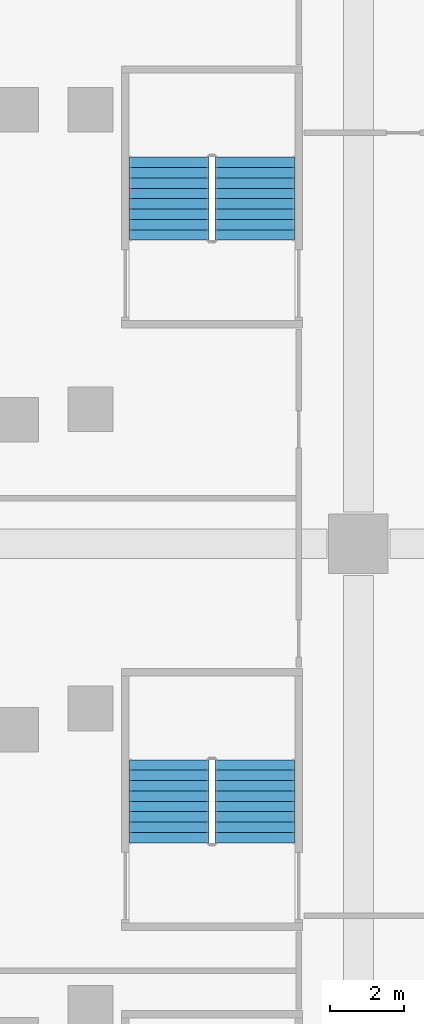
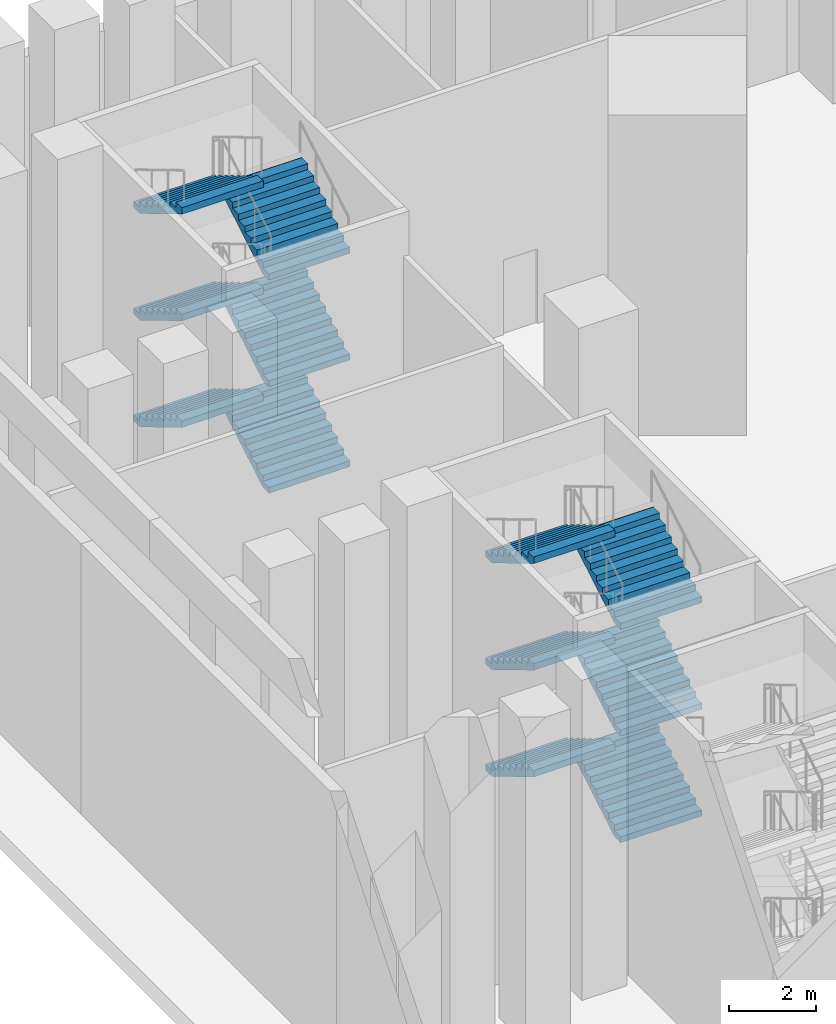
# One storey, part 13 of 25: 12 stair flights, 2 elements without a shape of their own.
"""IFC4 building model written with IfcOpenShell, lengths in metres."""

from ifc_helpers import new_model, si_unit, direction, frame, origin, place, context, subcontext, project, spatial, faceted_brep, source, transform, mapped, material, type_object, element, aggregate, save


model = new_model("IFC4")

# Units and contexts
model_context = context("Model", 3, precision=1e-05, world=origin(), true_north=direction((0.0, 1.0)))
body_context = subcontext(model_context, "Body", "Model", "MODEL_VIEW")
ifc_project = project(units=[si_unit("LENGTHUNIT", "METRE"), si_unit("AREAUNIT", "SQUARE_METRE"), si_unit("VOLUMEUNIT", "CUBIC_METRE"), si_unit("PLANEANGLEUNIT", "RADIAN"), si_unit("MASSUNIT", "GRAM", prefix="KILO")], contexts=[model_context])

# Site, building, storey
site_placement = place(None, origin())
site = spatial("IfcSite", under=ifc_project, at=site_placement, CompositionType="ELEMENT")
building_placement = place(site_placement, origin())
building = spatial("IfcBuilding", under=site, at=building_placement, Name="Calabash Gate Tower", CompositionType="ELEMENT")
storey_placement = place(building_placement, frame((0.0, 0.0, 20.0)))
storey = spatial("IfcBuildingStorey", under=building, at=storey_placement, Name="L02", CompositionType="ELEMENT", Elevation=20.0)

# Stair, stair flights
ifc_material_1 = material(Name="Concrete C40/50", Category="concrete")
stair_type = type_object("IfcStairType", Name="Public stair 54 risers of 166.7 mm", PredefinedType="HALF_TURN_STAIR", material=ifc_material_1)
stair_1_placement = place(storey_placement, origin())
stair_1 = element("IfcStair", 1, at=stair_1_placement, inside=storey, type_object=stair_type, Name="L02 Public Stair PS4", PredefinedType="HALF_TURN_STAIR")
ifc_material_2 = material(Name="Concrete C40/50", Category="concrete")
stair_flight_type = type_object("IfcStairFlightType", Name="Exit stair flight SFL", PredefinedType="STRAIGHT", material=ifc_material_2)
shared_shape = source(origin(), body_context, "Body", "Brep", [
    faceted_brep([(-0.0009765625, -1.080078125, 0.0), (0.292236328125, -1.080078125, 0.0), (2.23291015625, -1.080078125, 1.15869140625), (-0.0009765625, 1.080078125, 0.0), (2.23291015625, 1.080078125, 1.15869140625), (0.292236328125, 1.080078125, 0.0), (2.23291015625, -1.080078125, 1.34521484375), (2.23193359375, -1.080078125, 1.34521484375), (2.23193359375, 1.080078125, 1.34521484375), (2.23291015625, 1.080078125, 1.34521484375), (2.23193359375, -1.080078125, 1.333251953125), (2.23193359375, 1.080078125, 1.333251953125), (1.952880859375, -1.080078125, 1.333251953125), (1.952880859375, 1.080078125, 1.333251953125), (1.952880859375, -1.080078125, 1.166748046875), (1.952880859375, 1.080078125, 1.166748046875), (1.674072265625, -1.080078125, 1.166748046875), (1.674072265625, 1.080078125, 1.166748046875), (1.674072265625, -1.080078125, 1.0), (1.674072265625, 1.080078125, 1.0), (1.39501953125, -1.080078125, 1.0), (1.39501953125, -1.080078125, 0.833251953125), (1.39501953125, 1.080078125, 0.833251953125), (1.39501953125, 1.080078125, 1.0), (1.115966796875, -1.080078125, 0.833251953125), (1.115966796875, -1.080078125, 0.666748046875), (1.115966796875, 1.080078125, 0.666748046875), (1.115966796875, 1.080078125, 0.833251953125), (0.8369140625, -1.080078125, 0.666748046875), (0.8369140625, -1.080078125, 0.5), (0.8369140625, 1.080078125, 0.5), (0.8369140625, 1.080078125, 0.666748046875), (0.55810546875, -1.080078125, 0.5), (0.55810546875, -1.080078125, 0.333251953125), (0.55810546875, 1.080078125, 0.333251953125), (0.55810546875, 1.080078125, 0.5), (0.279052734375, -1.080078125, 0.333251953125), (0.279052734375, -1.080078125, 0.166748046875), (0.279052734375, 1.080078125, 0.166748046875), (0.279052734375, 1.080078125, 0.333251953125), (-0.0009765625, -1.080078125, 0.166748046875), (-0.0009765625, 1.080078125, 0.166748046875), (0.292236328125, -0.431884765625, 0.0), (2.23291015625, -0.431884765625, 1.15869140625), (0.292236328125, -0.345703125, 0.0), (2.23291015625, -0.345703125, 1.15869140625), (0.292236328125, -0.25927734375, 0.0), (2.23291015625, -0.25927734375, 1.15869140625), (0.292236328125, -0.1728515625, 0.0), (2.23291015625, -0.1728515625, 1.15869140625), (0.292236328125, -0.08642578125, 0.0), (2.23291015625, -0.08642578125, 1.15869140625), (0.292236328125, 0.0, 0.0), (2.23291015625, 0.0, 1.15869140625), (0.292236328125, 0.08642578125, 0.0), (2.23291015625, 0.08642578125, 1.15869140625), (0.292236328125, 0.1728515625, 0.0), (2.23291015625, 0.1728515625, 1.15869140625), (0.292236328125, 0.25927734375, 0.0), (2.23291015625, 0.25927734375, 1.15869140625), (0.292236328125, 0.345703125, 0.0), (2.23291015625, 0.345703125, 1.15869140625), (0.292236328125, 0.431884765625, 0.0), (2.23291015625, 0.431884765625, 1.15869140625), (2.23291015625, -0.431884765625, 1.34521484375), (2.23291015625, -0.345703125, 1.34521484375), (2.23291015625, -0.25927734375, 1.34521484375), (2.23291015625, -0.1728515625, 1.34521484375), (2.23291015625, -0.08642578125, 1.34521484375), (2.23291015625, 0.0, 1.34521484375), (2.23291015625, 0.08642578125, 1.34521484375), (2.23291015625, 0.1728515625, 1.34521484375), (2.23291015625, 0.25927734375, 1.34521484375), (2.23291015625, 0.345703125, 1.34521484375), (2.23291015625, 0.431884765625, 1.34521484375), (2.23193359375, -0.431884765625, 1.34521484375), (2.23193359375, -0.345703125, 1.34521484375), (2.23193359375, -0.25927734375, 1.34521484375), (2.23193359375, -0.1728515625, 1.34521484375), (2.23193359375, -0.08642578125, 1.34521484375), (2.23193359375, 0.0, 1.34521484375), (2.23193359375, 0.08642578125, 1.34521484375), (2.23193359375, 0.1728515625, 1.34521484375), (2.23193359375, 0.25927734375, 1.34521484375), (2.23193359375, 0.345703125, 1.34521484375), (2.23193359375, 0.431884765625, 1.34521484375), (2.23193359375, -0.431884765625, 1.333251953125), (2.23193359375, -0.345703125, 1.333251953125), (2.23193359375, -0.25927734375, 1.333251953125), (2.23193359375, -0.1728515625, 1.333251953125), (2.23193359375, -0.08642578125, 1.333251953125), (2.23193359375, 0.0, 1.333251953125), (2.23193359375, 0.08642578125, 1.333251953125), (2.23193359375, 0.1728515625, 1.333251953125), (2.23193359375, 0.25927734375, 1.333251953125), (2.23193359375, 0.345703125, 1.333251953125), (2.23193359375, 0.431884765625, 1.333251953125), (1.952880859375, -0.431884765625, 1.333251953125), (1.952880859375, -0.345703125, 1.333251953125), (1.952880859375, -0.25927734375, 1.333251953125), (1.952880859375, -0.1728515625, 1.333251953125), (1.952880859375, -0.08642578125, 1.333251953125), (1.952880859375, 0.0, 1.333251953125), (1.952880859375, 0.08642578125, 1.333251953125), (1.952880859375, 0.1728515625, 1.333251953125), (1.952880859375, 0.25927734375, 1.333251953125), (1.952880859375, 0.345703125, 1.333251953125), (1.952880859375, 0.431884765625, 1.333251953125), (1.952880859375, -0.431884765625, 1.166748046875), (1.952880859375, -0.345703125, 1.166748046875), (1.952880859375, -0.25927734375, 1.166748046875), (1.952880859375, -0.1728515625, 1.166748046875), (1.952880859375, -0.08642578125, 1.166748046875), (1.952880859375, 0.0, 1.166748046875), (1.952880859375, 0.08642578125, 1.166748046875), (1.952880859375, 0.1728515625, 1.166748046875), (1.952880859375, 0.25927734375, 1.166748046875), (1.952880859375, 0.345703125, 1.166748046875), (1.952880859375, 0.431884765625, 1.166748046875), (1.674072265625, -0.431884765625, 1.166748046875), (1.674072265625, -0.345703125, 1.166748046875), (1.674072265625, -0.25927734375, 1.166748046875), (1.674072265625, -0.1728515625, 1.166748046875), (1.674072265625, -0.08642578125, 1.166748046875), (1.674072265625, 0.0, 1.166748046875), (1.674072265625, 0.08642578125, 1.166748046875), (1.674072265625, 0.1728515625, 1.166748046875), (1.674072265625, 0.25927734375, 1.166748046875), (1.674072265625, 0.345703125, 1.166748046875), (1.674072265625, 0.431884765625, 1.166748046875), (1.674072265625, -0.431884765625, 1.0), (1.674072265625, -0.345703125, 1.0), (1.674072265625, -0.25927734375, 1.0), (1.674072265625, -0.1728515625, 1.0), (1.674072265625, -0.08642578125, 1.0), (1.674072265625, 0.0, 1.0), (1.674072265625, 0.08642578125, 1.0), (1.674072265625, 0.1728515625, 1.0), (1.674072265625, 0.25927734375, 1.0), (1.674072265625, 0.345703125, 1.0), (1.674072265625, 0.431884765625, 1.0), (1.39501953125, -0.431884765625, 1.0), (1.39501953125, -0.345703125, 1.0), (1.39501953125, -0.25927734375, 1.0), (1.39501953125, -0.1728515625, 1.0), (1.39501953125, -0.08642578125, 1.0), (1.39501953125, 0.0, 1.0), (1.39501953125, 0.08642578125, 1.0), (1.39501953125, 0.1728515625, 1.0), (1.39501953125, 0.25927734375, 1.0), (1.39501953125, 0.345703125, 1.0), (1.39501953125, 0.431884765625, 1.0), (1.39501953125, -0.431884765625, 0.833251953125), (1.39501953125, -0.345703125, 0.833251953125), (1.39501953125, -0.25927734375, 0.833251953125), (1.39501953125, -0.1728515625, 0.833251953125), (1.39501953125, -0.08642578125, 0.833251953125), (1.39501953125, 0.0, 0.833251953125), (1.39501953125, 0.08642578125, 0.833251953125), (1.39501953125, 0.1728515625, 0.833251953125), (1.39501953125, 0.25927734375, 0.833251953125), (1.39501953125, 0.345703125, 0.833251953125), (1.39501953125, 0.431884765625, 0.833251953125), (1.115966796875, -0.431884765625, 0.833251953125), (1.115966796875, -0.345703125, 0.833251953125), (1.115966796875, -0.25927734375, 0.833251953125), (1.115966796875, -0.1728515625, 0.833251953125), (1.115966796875, -0.08642578125, 0.833251953125), (1.115966796875, 0.0, 0.833251953125), (1.115966796875, 0.08642578125, 0.833251953125), (1.115966796875, 0.1728515625, 0.833251953125), (1.115966796875, 0.25927734375, 0.833251953125), (1.115966796875, 0.345703125, 0.833251953125), (1.115966796875, 0.431884765625, 0.833251953125), (1.115966796875, -0.431884765625, 0.666748046875), (1.115966796875, -0.345703125, 0.666748046875), (1.115966796875, -0.25927734375, 0.666748046875), (1.115966796875, -0.1728515625, 0.666748046875), (1.115966796875, -0.08642578125, 0.666748046875), (1.115966796875, 0.0, 0.666748046875), (1.115966796875, 0.08642578125, 0.666748046875), (1.115966796875, 0.1728515625, 0.666748046875), (1.115966796875, 0.25927734375, 0.666748046875), (1.115966796875, 0.345703125, 0.666748046875), (1.115966796875, 0.431884765625, 0.666748046875), (0.8369140625, -0.431884765625, 0.666748046875), (0.8369140625, -0.345703125, 0.666748046875), (0.8369140625, -0.25927734375, 0.666748046875), (0.8369140625, -0.1728515625, 0.666748046875), (0.8369140625, -0.08642578125, 0.666748046875), (0.8369140625, 0.0, 0.666748046875), (0.8369140625, 0.08642578125, 0.666748046875), (0.8369140625, 0.1728515625, 0.666748046875), (0.8369140625, 0.25927734375, 0.666748046875), (0.8369140625, 0.345703125, 0.666748046875), (0.8369140625, 0.431884765625, 0.666748046875), (0.8369140625, -0.431884765625, 0.5), (0.8369140625, -0.345703125, 0.5), (0.8369140625, -0.25927734375, 0.5), (0.8369140625, -0.1728515625, 0.5), (0.8369140625, -0.08642578125, 0.5), (0.8369140625, 0.0, 0.5), (0.8369140625, 0.08642578125, 0.5), (0.8369140625, 0.1728515625, 0.5), (0.8369140625, 0.25927734375, 0.5), (0.8369140625, 0.345703125, 0.5), (0.8369140625, 0.431884765625, 0.5), (0.55810546875, -0.431884765625, 0.5), (0.55810546875, -0.345703125, 0.5), (0.55810546875, -0.25927734375, 0.5), (0.55810546875, -0.1728515625, 0.5), (0.55810546875, -0.08642578125, 0.5), (0.55810546875, 0.0, 0.5), (0.55810546875, 0.08642578125, 0.5), (0.55810546875, 0.1728515625, 0.5), (0.55810546875, 0.25927734375, 0.5), (0.55810546875, 0.345703125, 0.5), (0.55810546875, 0.431884765625, 0.5), (0.55810546875, -0.431884765625, 0.333251953125), (0.55810546875, -0.345703125, 0.333251953125), (0.55810546875, -0.25927734375, 0.333251953125), (0.55810546875, -0.1728515625, 0.333251953125), (0.55810546875, -0.08642578125, 0.333251953125), (0.55810546875, 0.0, 0.333251953125), (0.55810546875, 0.08642578125, 0.333251953125), (0.55810546875, 0.1728515625, 0.333251953125), (0.55810546875, 0.25927734375, 0.333251953125), (0.55810546875, 0.345703125, 0.333251953125), (0.55810546875, 0.431884765625, 0.333251953125), (0.279052734375, -0.431884765625, 0.333251953125), (0.279052734375, -0.345703125, 0.333251953125), (0.279052734375, -0.25927734375, 0.333251953125), (0.279052734375, -0.1728515625, 0.333251953125), (0.279052734375, -0.08642578125, 0.333251953125), (0.279052734375, 0.0, 0.333251953125), (0.279052734375, 0.08642578125, 0.333251953125), (0.279052734375, 0.1728515625, 0.333251953125), (0.279052734375, 0.25927734375, 0.333251953125), (0.279052734375, 0.345703125, 0.333251953125), (0.279052734375, 0.431884765625, 0.333251953125), (0.279052734375, -0.431884765625, 0.166748046875), (0.279052734375, -0.345703125, 0.166748046875), (0.279052734375, -0.25927734375, 0.166748046875), (0.279052734375, -0.1728515625, 0.166748046875), (0.279052734375, -0.08642578125, 0.166748046875), (0.279052734375, 0.0, 0.166748046875), (0.279052734375, 0.08642578125, 0.166748046875), (0.279052734375, 0.1728515625, 0.166748046875), (0.279052734375, 0.25927734375, 0.166748046875), (0.279052734375, 0.345703125, 0.166748046875), (0.279052734375, 0.431884765625, 0.166748046875), (-0.0009765625, -0.431884765625, 0.166748046875), (-0.0009765625, -0.345703125, 0.166748046875), (-0.0009765625, -0.25927734375, 0.166748046875), (-0.0009765625, -0.1728515625, 0.166748046875), (-0.0009765625, -0.08642578125, 0.166748046875), (-0.0009765625, 0.0, 0.166748046875), (-0.0009765625, 0.08642578125, 0.166748046875), (-0.0009765625, 0.1728515625, 0.166748046875), (-0.0009765625, 0.25927734375, 0.166748046875), (-0.0009765625, 0.345703125, 0.166748046875), (-0.0009765625, 0.431884765625, 0.166748046875), (-0.0009765625, -0.431884765625, 0.0), (-0.0009765625, -0.345703125, 0.0), (-0.0009765625, -0.25927734375, 0.0), (-0.0009765625, -0.1728515625, 0.0), (-0.0009765625, -0.08642578125, 0.0), (-0.0009765625, 0.0, 0.0), (-0.0009765625, 0.08642578125, 0.0), (-0.0009765625, 0.1728515625, 0.0), (-0.0009765625, 0.25927734375, 0.0), (-0.0009765625, 0.345703125, 0.0), (-0.0009765625, 0.431884765625, 0.0)], [[[0, 1, 2]], [[3, 4, 5]], [[2, 6, 7]], [[4, 8, 9]], [[2, 7, 10]], [[4, 11, 8]], [[2, 10, 12]], [[4, 13, 11]], [[2, 12, 14]], [[4, 15, 13]], [[2, 14, 16]], [[4, 17, 15]], [[2, 16, 18]], [[4, 19, 17]], [[18, 20, 21]], [[19, 22, 23]], [[2, 18, 21]], [[4, 22, 19]], [[21, 24, 25]], [[22, 26, 27]], [[2, 21, 25]], [[4, 26, 22]], [[25, 28, 29]], [[26, 30, 31]], [[2, 25, 29]], [[4, 30, 26]], [[29, 32, 33]], [[30, 34, 35]], [[2, 29, 33]], [[4, 34, 30]], [[33, 36, 37]], [[34, 38, 39]], [[2, 33, 37]], [[4, 38, 34]], [[0, 2, 37]], [[3, 38, 4]], [[37, 40, 0]], [[38, 3, 41]], [[1, 42, 2]], [[42, 43, 2]], [[42, 44, 43]], [[44, 45, 43]], [[44, 46, 45]], [[46, 47, 45]], [[46, 48, 47]], [[48, 49, 47]], [[48, 50, 49]], [[50, 51, 49]], [[50, 52, 51]], [[52, 53, 51]], [[52, 54, 55]], [[52, 55, 53]], [[54, 56, 57]], [[54, 57, 55]], [[56, 58, 59]], [[56, 59, 57]], [[58, 60, 61]], [[58, 61, 59]], [[60, 62, 63]], [[60, 63, 61]], [[62, 5, 4]], [[62, 4, 63]], [[2, 43, 6]], [[43, 64, 6]], [[43, 45, 64]], [[45, 65, 64]], [[45, 47, 65]], [[47, 66, 65]], [[47, 49, 66]], [[49, 67, 66]], [[49, 51, 67]], [[51, 68, 67]], [[51, 53, 68]], [[53, 69, 68]], [[53, 55, 70]], [[53, 70, 69]], [[55, 57, 71]], [[55, 71, 70]], [[57, 59, 72]], [[57, 72, 71]], [[59, 61, 73]], [[59, 73, 72]], [[61, 63, 74]], [[61, 74, 73]], [[63, 4, 9]], [[63, 9, 74]], [[6, 64, 7]], [[64, 75, 7]], [[64, 65, 75]], [[65, 76, 75]], [[65, 66, 76]], [[66, 77, 76]], [[66, 67, 77]], [[67, 78, 77]], [[67, 68, 78]], [[68, 79, 78]], [[68, 69, 79]], [[69, 80, 79]], [[69, 70, 81]], [[69, 81, 80]], [[70, 71, 82]], [[70, 82, 81]], [[71, 72, 83]], [[71, 83, 82]], [[72, 73, 84]], [[72, 84, 83]], [[73, 74, 85]], [[73, 85, 84]], [[74, 9, 8]], [[74, 8, 85]], [[7, 75, 10]], [[75, 86, 10]], [[75, 76, 86]], [[76, 87, 86]], [[76, 77, 87]], [[77, 88, 87]], [[77, 78, 88]], [[78, 89, 88]], [[78, 79, 89]], [[79, 90, 89]], [[79, 80, 90]], [[80, 91, 90]], [[80, 81, 92]], [[80, 92, 91]], [[81, 82, 93]], [[81, 93, 92]], [[82, 83, 94]], [[82, 94, 93]], [[83, 84, 95]], [[83, 95, 94]], [[84, 85, 96]], [[84, 96, 95]], [[85, 8, 11]], [[85, 11, 96]], [[10, 86, 12]], [[86, 97, 12]], [[86, 87, 97]], [[87, 98, 97]], [[87, 88, 98]], [[88, 99, 98]], [[88, 89, 99]], [[89, 100, 99]], [[89, 90, 100]], [[90, 101, 100]], [[90, 91, 101]], [[91, 102, 101]], [[91, 92, 103]], [[91, 103, 102]], [[92, 93, 104]], [[92, 104, 103]], [[93, 94, 105]], [[93, 105, 104]], [[94, 95, 106]], [[94, 106, 105]], [[95, 96, 107]], [[95, 107, 106]], [[96, 11, 13]], [[96, 13, 107]], [[12, 97, 14]], [[97, 108, 14]], [[97, 98, 108]], [[98, 109, 108]], [[98, 99, 109]], [[99, 110, 109]], [[99, 100, 110]], [[100, 111, 110]], [[100, 101, 111]], [[101, 112, 111]], [[101, 102, 112]], [[102, 113, 112]], [[102, 103, 114]], [[102, 114, 113]], [[103, 104, 115]], [[103, 115, 114]], [[104, 105, 116]], [[104, 116, 115]], [[105, 106, 117]], [[105, 117, 116]], [[106, 107, 118]], [[106, 118, 117]], [[107, 13, 15]], [[107, 15, 118]], [[14, 108, 16]], [[108, 119, 16]], [[108, 109, 119]], [[109, 120, 119]], [[109, 110, 120]], [[110, 121, 120]], [[110, 111, 121]], [[111, 122, 121]], [[111, 112, 122]], [[112, 123, 122]], [[112, 113, 123]], [[113, 124, 123]], [[113, 114, 125]], [[113, 125, 124]], [[114, 115, 126]], [[114, 126, 125]], [[115, 116, 127]], [[115, 127, 126]], [[116, 117, 128]], [[116, 128, 127]], [[117, 118, 129]], [[117, 129, 128]], [[118, 15, 17]], [[118, 17, 129]], [[16, 119, 18]], [[119, 130, 18]], [[119, 120, 130]], [[120, 131, 130]], [[120, 121, 131]], [[121, 132, 131]], [[121, 122, 132]], [[122, 133, 132]], [[122, 123, 133]], [[123, 134, 133]], [[123, 124, 134]], [[124, 135, 134]], [[124, 125, 136]], [[124, 136, 135]], [[125, 126, 137]], [[125, 137, 136]], [[126, 127, 138]], [[126, 138, 137]], [[127, 128, 139]], [[127, 139, 138]], [[128, 129, 140]], [[128, 140, 139]], [[129, 17, 19]], [[129, 19, 140]], [[18, 130, 20]], [[130, 141, 20]], [[130, 131, 141]], [[131, 142, 141]], [[131, 132, 142]], [[132, 143, 142]], [[132, 133, 143]], [[133, 144, 143]], [[133, 134, 144]], [[134, 145, 144]], [[134, 135, 145]], [[135, 146, 145]], [[135, 136, 147]], [[135, 147, 146]], [[136, 137, 148]], [[136, 148, 147]], [[137, 138, 149]], [[137, 149, 148]], [[138, 139, 150]], [[138, 150, 149]], [[139, 140, 151]], [[139, 151, 150]], [[140, 19, 23]], [[140, 23, 151]], [[20, 141, 21]], [[141, 152, 21]], [[141, 142, 152]], [[142, 153, 152]], [[142, 143, 153]], [[143, 154, 153]], [[143, 144, 154]], [[144, 155, 154]], [[144, 145, 155]], [[145, 156, 155]], [[145, 146, 156]], [[146, 157, 156]], [[146, 147, 158]], [[146, 158, 157]], [[147, 148, 159]], [[147, 159, 158]], [[148, 149, 160]], [[148, 160, 159]], [[149, 150, 161]], [[149, 161, 160]], [[150, 151, 162]], [[150, 162, 161]], [[151, 23, 22]], [[151, 22, 162]], [[21, 152, 24]], [[152, 163, 24]], [[152, 153, 163]], [[153, 164, 163]], [[153, 154, 164]], [[154, 165, 164]], [[154, 155, 165]], [[155, 166, 165]], [[155, 156, 166]], [[156, 167, 166]], [[156, 157, 167]], [[157, 168, 167]], [[157, 158, 169]], [[157, 169, 168]], [[158, 159, 170]], [[158, 170, 169]], [[159, 160, 171]], [[159, 171, 170]], [[160, 161, 172]], [[160, 172, 171]], [[161, 162, 173]], [[161, 173, 172]], [[162, 22, 27]], [[162, 27, 173]], [[24, 163, 25]], [[163, 174, 25]], [[163, 164, 174]], [[164, 175, 174]], [[164, 165, 175]], [[165, 176, 175]], [[165, 166, 176]], [[166, 177, 176]], [[166, 167, 177]], [[167, 178, 177]], [[167, 168, 178]], [[168, 179, 178]], [[168, 169, 180]], [[168, 180, 179]], [[169, 170, 181]], [[169, 181, 180]], [[170, 171, 182]], [[170, 182, 181]], [[171, 172, 183]], [[171, 183, 182]], [[172, 173, 184]], [[172, 184, 183]], [[173, 27, 26]], [[173, 26, 184]], [[25, 174, 28]], [[174, 185, 28]], [[174, 175, 185]], [[175, 186, 185]], [[175, 176, 186]], [[176, 187, 186]], [[176, 177, 187]], [[177, 188, 187]], [[177, 178, 188]], [[178, 189, 188]], [[178, 179, 189]], [[179, 190, 189]], [[179, 180, 191]], [[179, 191, 190]], [[180, 181, 192]], [[180, 192, 191]], [[181, 182, 193]], [[181, 193, 192]], [[182, 183, 194]], [[182, 194, 193]], [[183, 184, 195]], [[183, 195, 194]], [[184, 26, 31]], [[184, 31, 195]], [[28, 185, 29]], [[185, 196, 29]], [[185, 186, 196]], [[186, 197, 196]], [[186, 187, 197]], [[187, 198, 197]], [[187, 188, 198]], [[188, 199, 198]], [[188, 189, 199]], [[189, 200, 199]], [[189, 190, 200]], [[190, 201, 200]], [[190, 191, 202]], [[190, 202, 201]], [[191, 192, 203]], [[191, 203, 202]], [[192, 193, 204]], [[192, 204, 203]], [[193, 194, 205]], [[193, 205, 204]], [[194, 195, 206]], [[194, 206, 205]], [[195, 31, 30]], [[195, 30, 206]], [[29, 196, 32]], [[196, 207, 32]], [[196, 197, 207]], [[197, 208, 207]], [[197, 198, 208]], [[198, 209, 208]], [[198, 199, 209]], [[199, 210, 209]], [[199, 200, 210]], [[200, 211, 210]], [[200, 201, 211]], [[201, 212, 211]], [[201, 202, 213]], [[201, 213, 212]], [[202, 203, 214]], [[202, 214, 213]], [[203, 204, 215]], [[203, 215, 214]], [[204, 205, 216]], [[204, 216, 215]], [[205, 206, 217]], [[205, 217, 216]], [[206, 30, 35]], [[206, 35, 217]], [[32, 207, 33]], [[207, 218, 33]], [[207, 208, 218]], [[208, 219, 218]], [[208, 209, 219]], [[209, 220, 219]], [[209, 210, 220]], [[210, 221, 220]], [[210, 211, 221]], [[211, 222, 221]], [[211, 212, 222]], [[212, 223, 222]], [[212, 213, 224]], [[212, 224, 223]], [[213, 214, 225]], [[213, 225, 224]], [[214, 215, 226]], [[214, 226, 225]], [[215, 216, 227]], [[215, 227, 226]], [[216, 217, 228]], [[216, 228, 227]], [[217, 35, 34]], [[217, 34, 228]], [[33, 218, 36]], [[218, 229, 36]], [[218, 219, 229]], [[219, 230, 229]], [[219, 220, 230]], [[220, 231, 230]], [[220, 221, 231]], [[221, 232, 231]], [[221, 222, 232]], [[222, 233, 232]], [[222, 223, 233]], [[223, 234, 233]], [[223, 224, 235]], [[223, 235, 234]], [[224, 225, 236]], [[224, 236, 235]], [[225, 226, 237]], [[225, 237, 236]], [[226, 227, 238]], [[226, 238, 237]], [[227, 228, 239]], [[227, 239, 238]], [[228, 34, 39]], [[228, 39, 239]], [[36, 229, 37]], [[229, 240, 37]], [[229, 230, 240]], [[230, 241, 240]], [[230, 231, 241]], [[231, 242, 241]], [[231, 232, 242]], [[232, 243, 242]], [[232, 233, 243]], [[233, 244, 243]], [[233, 234, 244]], [[234, 245, 244]], [[234, 235, 246]], [[234, 246, 245]], [[235, 236, 247]], [[235, 247, 246]], [[236, 237, 248]], [[236, 248, 247]], [[237, 238, 249]], [[237, 249, 248]], [[238, 239, 250]], [[238, 250, 249]], [[239, 39, 38]], [[239, 38, 250]], [[37, 240, 40]], [[240, 251, 40]], [[240, 241, 251]], [[241, 252, 251]], [[241, 242, 252]], [[242, 253, 252]], [[242, 243, 253]], [[243, 254, 253]], [[243, 244, 254]], [[244, 255, 254]], [[244, 245, 255]], [[245, 256, 255]], [[245, 246, 257]], [[245, 257, 256]], [[246, 247, 258]], [[246, 258, 257]], [[247, 248, 259]], [[247, 259, 258]], [[248, 249, 260]], [[248, 260, 259]], [[249, 250, 261]], [[249, 261, 260]], [[250, 38, 41]], [[250, 41, 261]], [[40, 251, 0]], [[251, 262, 0]], [[251, 252, 262]], [[252, 263, 262]], [[252, 253, 263]], [[253, 264, 263]], [[253, 254, 264]], [[254, 265, 264]], [[254, 255, 265]], [[255, 266, 265]], [[255, 256, 266]], [[256, 267, 266]], [[256, 257, 268]], [[256, 268, 267]], [[257, 258, 269]], [[257, 269, 268]], [[258, 259, 270]], [[258, 270, 269]], [[259, 260, 271]], [[259, 271, 270]], [[260, 261, 272]], [[260, 272, 271]], [[261, 41, 3]], [[261, 3, 272]], [[0, 262, 1]], [[262, 42, 1]], [[262, 263, 42]], [[263, 44, 42]], [[263, 264, 44]], [[264, 46, 44]], [[264, 265, 46]], [[265, 48, 46]], [[265, 266, 48]], [[266, 50, 48]], [[266, 267, 50]], [[267, 52, 50]], [[267, 268, 54]], [[267, 54, 52]], [[268, 269, 56]], [[268, 56, 54]], [[269, 270, 58]], [[269, 58, 56]], [[270, 271, 60]], [[270, 60, 58]], [[271, 272, 62]], [[271, 62, 60]], [[272, 3, 5]], [[272, 5, 62]]]),
])
stair_flight_1_placement = place(storey_placement, frame((-34.780029296875, -0.0400390625, 0.0), z_axis=(0.0, 0.0, 1.0), x_axis=(0.0, 1.0, 0.0)))
stair_flight_1 = element("IfcStairFlight", 2, at=stair_flight_1_placement, type_object=stair_flight_type, Name="PS4 flight 1", NumberOfRisers=9, NumberOfTreads=8, PredefinedType="STRAIGHT", RiserHeight=0.166666667, TreadLength=0.279, context=body_context, shape_type="MappedRepresentation", body=[
    mapped(shared_shape, transform((0.0, 0.0, 0.0), scale=1.0)),
])
stair_flight_2_placement = place(storey_placement, frame((-37.090087890625, 2.19189453125, 1.5), z_axis=(0.0, 0.0, 1.0), x_axis=(0.0, -1.0, 0.0)))
stair_flight_2 = element("IfcStairFlight", 3, at=stair_flight_2_placement, type_object=stair_flight_type, Name="PS4 flight 2", NumberOfRisers=9, NumberOfTreads=8, PredefinedType="STRAIGHT", RiserHeight=0.166666667, TreadLength=0.279, context=body_context, shape_type="MappedRepresentation", body=[
    mapped(shared_shape, transform((0.0, 0.0, 0.0), scale=1.0)),
])
stair_flight_3_placement = place(storey_placement, frame((-34.780029296875, -0.0400390625, 3.0), z_axis=(0.0, 0.0, 1.0), x_axis=(0.0, 1.0, 0.0)))
stair_flight_3 = element("IfcStairFlight", 4, at=stair_flight_3_placement, type_object=stair_flight_type, Name="PS4 flight 3", NumberOfRisers=9, NumberOfTreads=8, PredefinedType="STRAIGHT", RiserHeight=0.166666667, TreadLength=0.279, context=body_context, shape_type="MappedRepresentation", body=[
    mapped(shared_shape, transform((0.0, 0.0, 0.0), scale=1.0)),
])
stair_flight_4_placement = place(storey_placement, frame((-37.090087890625, 2.19189453125, 4.5), z_axis=(0.0, 0.0, 1.0), x_axis=(0.0, -1.0, 0.0)))
stair_flight_4 = element("IfcStairFlight", 5, at=stair_flight_4_placement, type_object=stair_flight_type, Name="PS4 flight 4", NumberOfRisers=9, NumberOfTreads=8, PredefinedType="STRAIGHT", RiserHeight=0.166666667, TreadLength=0.279, context=body_context, shape_type="MappedRepresentation", body=[
    mapped(shared_shape, transform((0.0, 0.0, 0.0), scale=1.0)),
])
stair_flight_5_placement = place(storey_placement, frame((-34.780029296875, -0.0400390625, 6.0), z_axis=(0.0, 0.0, 1.0), x_axis=(0.0, 1.0, 0.0)))
stair_flight_5 = element("IfcStairFlight", 6, at=stair_flight_5_placement, type_object=stair_flight_type, Name="PS4 flight 5", NumberOfRisers=9, NumberOfTreads=8, PredefinedType="STRAIGHT", RiserHeight=0.166666667, TreadLength=0.279, context=body_context, shape_type="MappedRepresentation", body=[
    mapped(shared_shape, transform((0.0, 0.0, 0.0), scale=1.0)),
])
stair_flight_6_placement = place(storey_placement, frame((-37.090087890625, 2.19189453125, 7.5), z_axis=(0.0, 0.0, 1.0), x_axis=(0.0, -1.0, 0.0)))
stair_flight_6 = element("IfcStairFlight", 7, at=stair_flight_6_placement, type_object=stair_flight_type, Name="PS4 flight 6", NumberOfRisers=9, NumberOfTreads=8, PredefinedType="STRAIGHT", RiserHeight=0.166666667, TreadLength=0.279, context=body_context, shape_type="MappedRepresentation", body=[
    mapped(shared_shape, transform((0.0, 0.0, 0.0), scale=1.0)),
])
aggregate(stair_1, [stair_flight_1, stair_flight_2, stair_flight_3, stair_flight_4, stair_flight_5, stair_flight_6])

stair_2_placement = place(storey_placement, origin())
stair_2 = element("IfcStair", 8, at=stair_2_placement, inside=storey, type_object=stair_type, Name="L02 Public Stair PS5", PredefinedType="HALF_TURN_STAIR")
stair_flight_7_placement = place(storey_placement, frame((-34.780029296875, 16.159912109375, 0.0), z_axis=(0.0, 0.0, 1.0), x_axis=(0.0, 1.0, 0.0)))
stair_flight_7 = element("IfcStairFlight", 9, at=stair_flight_7_placement, type_object=stair_flight_type, Name="PS5 flight 1", NumberOfRisers=9, NumberOfTreads=8, PredefinedType="STRAIGHT", RiserHeight=0.166666667, TreadLength=0.279, context=body_context, shape_type="MappedRepresentation", body=[
    mapped(shared_shape, transform((0.0, 0.0, 0.0), scale=1.0)),
])
stair_flight_8_placement = place(storey_placement, frame((-37.090087890625, 18.39208984375, 1.5), z_axis=(0.0, 0.0, 1.0), x_axis=(0.0, -1.0, 0.0)))
stair_flight_8 = element("IfcStairFlight", 10, at=stair_flight_8_placement, type_object=stair_flight_type, Name="PS5 flight 2", NumberOfRisers=9, NumberOfTreads=8, PredefinedType="STRAIGHT", RiserHeight=0.166666667, TreadLength=0.279, context=body_context, shape_type="MappedRepresentation", body=[
    mapped(shared_shape, transform((0.0, 0.0, 0.0), scale=1.0)),
])
stair_flight_9_placement = place(storey_placement, frame((-34.780029296875, 16.159912109375, 3.0), z_axis=(0.0, 0.0, 1.0), x_axis=(0.0, 1.0, 0.0)))
stair_flight_9 = element("IfcStairFlight", 11, at=stair_flight_9_placement, type_object=stair_flight_type, Name="PS5 flight 3", NumberOfRisers=9, NumberOfTreads=8, PredefinedType="STRAIGHT", RiserHeight=0.166666667, TreadLength=0.279, context=body_context, shape_type="MappedRepresentation", body=[
    mapped(shared_shape, transform((0.0, 0.0, 0.0), scale=1.0)),
])
stair_flight_10_placement = place(storey_placement, frame((-37.090087890625, 18.39208984375, 4.5), z_axis=(0.0, 0.0, 1.0), x_axis=(0.0, -1.0, 0.0)))
stair_flight_10 = element("IfcStairFlight", 12, at=stair_flight_10_placement, type_object=stair_flight_type, Name="PS5 flight 4", NumberOfRisers=9, NumberOfTreads=8, PredefinedType="STRAIGHT", RiserHeight=0.166666667, TreadLength=0.279, context=body_context, shape_type="MappedRepresentation", body=[
    mapped(shared_shape, transform((0.0, 0.0, 0.0), scale=1.0)),
])
stair_flight_11_placement = place(storey_placement, frame((-34.780029296875, 16.159912109375, 6.0), z_axis=(0.0, 0.0, 1.0), x_axis=(0.0, 1.0, 0.0)))
stair_flight_11 = element("IfcStairFlight", 13, at=stair_flight_11_placement, type_object=stair_flight_type, Name="PS5 flight 5", NumberOfRisers=9, NumberOfTreads=8, PredefinedType="STRAIGHT", RiserHeight=0.166666667, TreadLength=0.279, context=body_context, shape_type="MappedRepresentation", body=[
    mapped(shared_shape, transform((0.0, 0.0, 0.0), scale=1.0)),
])
stair_flight_12_placement = place(storey_placement, frame((-37.090087890625, 18.39208984375, 7.5), z_axis=(0.0, 0.0, 1.0), x_axis=(0.0, -1.0, 0.0)))
stair_flight_12 = element("IfcStairFlight", 14, at=stair_flight_12_placement, type_object=stair_flight_type, Name="PS5 flight 6", NumberOfRisers=9, NumberOfTreads=8, PredefinedType="STRAIGHT", RiserHeight=0.166666667, TreadLength=0.279, context=body_context, shape_type="MappedRepresentation", body=[
    mapped(shared_shape, transform((0.0, 0.0, 0.0), scale=1.0)),
])
aggregate(stair_2, [stair_flight_7, stair_flight_8, stair_flight_9, stair_flight_10, stair_flight_11, stair_flight_12])

save(model, "model.ifc")
